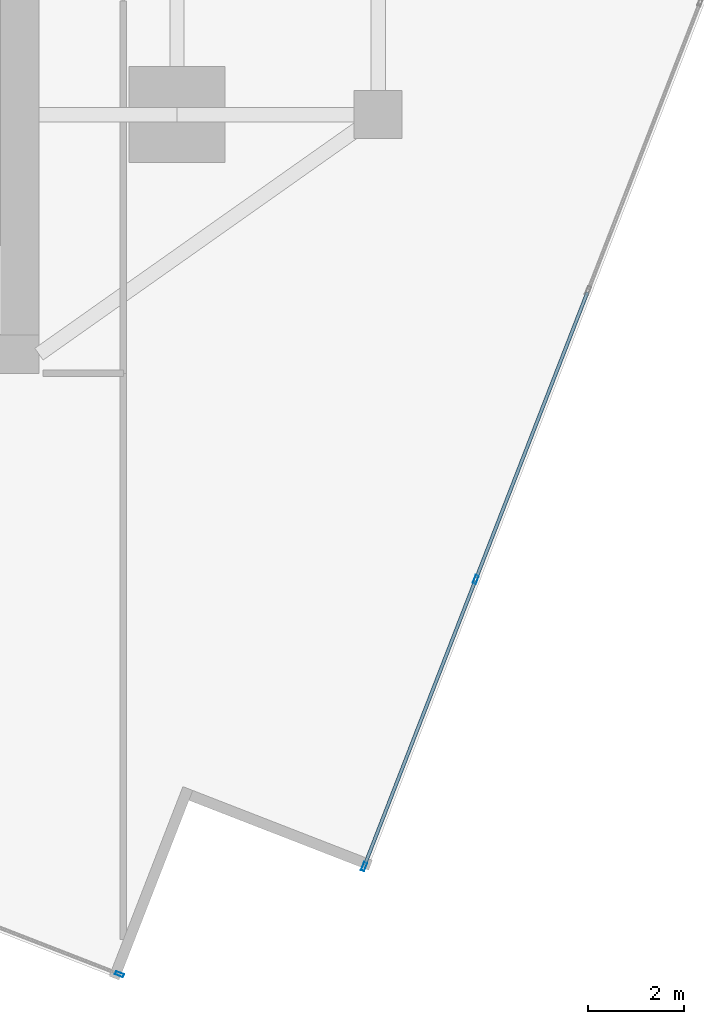
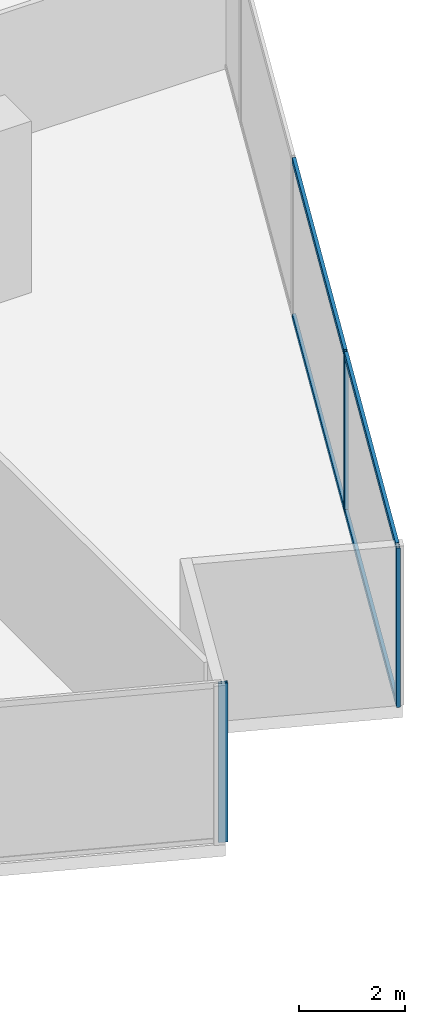
# One storey, part 9 of 26: 7 members, 2 elements without a shape of their own.
"""IFC4 building model written with IfcOpenShell, lengths in metres."""

from ifc_helpers import new_model, si_unit, direction, frame, origin, origin_2d, place, context, subcontext, project, spatial, hollow_rectangle, extrude, source, transform, mapped, material, material_profile, profile_set, type_object, type_shapes, element, aggregate, save


model = new_model("IFC4")

# Units and contexts
model_context = context("Model", 3, precision=1e-05, world=origin(), true_north=direction((0.0, 1.0)))
body_context = subcontext(model_context, "Body", "Model", "MODEL_VIEW")
ifc_project = project(units=[si_unit("LENGTHUNIT", "METRE"), si_unit("AREAUNIT", "SQUARE_METRE"), si_unit("VOLUMEUNIT", "CUBIC_METRE"), si_unit("PLANEANGLEUNIT", "RADIAN"), si_unit("MASSUNIT", "GRAM", prefix="KILO")], contexts=[model_context])

# Site, building, storey
site_placement = place(None, origin())
site = spatial("IfcSite", under=ifc_project, at=site_placement, CompositionType="ELEMENT")
building_placement = place(site_placement, origin())
building = spatial("IfcBuilding", under=site, at=building_placement, Name="Krantzveldt Concourse Tower", CompositionType="ELEMENT")
storey_placement = place(building_placement, frame((0.0, 0.0, 129.550048828125)))
storey = spatial("IfcBuildingStorey", under=building, at=storey_placement, Name="L31", CompositionType="ELEMENT", Elevation=129.550048828125)

# Curtain wall, member
ifc_material = material(Name="Anodised aluminium 6063-T6", Category="aluminium")
curtain_wall_type = type_object("IfcCurtainWallType", Name="CW2", PredefinedType="USERDEFINED", material=ifc_material)
curtain_wall_1_placement = place(storey_placement, origin())
curtain_wall_1 = element("IfcCurtainWall", 1, at=curtain_wall_1_placement, inside=storey, type_object=curtain_wall_type, Name="CW-L31-F08", ObjectType="UNITISED CURTAIN WALL", PredefinedType="USERDEFINED")
ifc_material_profile_1 = material_profile(ifc_material, hollow_rectangle(XDim=0.070068359375, YDim=0.179931640625, WallThickness=0.0048828125, at=origin_2d()), Name="Anodised aluminium 6063-T6", Category="aluminium")
ifc_profile_set_1 = profile_set([ifc_material_profile_1], Name="Anodised aluminium 6063-T6 - ALU-MULL 180x70x5")
member_type_1 = type_object("IfcMemberType", Name="CW-MUL-180", PredefinedType="MULLION", material=ifc_profile_set_1)
shared_shape_1 = source(origin(), body_context, "Body", "SweptSolid", [
    extrude(hollow_rectangle(XDim=0.070068359375, YDim=0.179931640625, WallThickness=0.0048828125, at=origin_2d()), origin(), (0.0, 0.0, 1.0), 3.669921875),
])
type_shapes(member_type_1, [shared_shape_1])
member_1_placement = place(storey_placement, frame((45.599853515625, -2.043701171875, 0.0), z_axis=(0.0, 0.0, 1.0), x_axis=(0.362437908899, 0.932007919598, 0.0)))
member_1 = element("IfcMember", 2, at=member_1_placement, type_object=member_type_1, Name="CW-Z12 mullion 3", PredefinedType="MULLION", context=body_context, shape_type="MappedRepresentation", body=[
    mapped(shared_shape_1, transform((0.0, 0.0, 0.0), x_axis=(1.0, 0.0, 0.0), y_axis=(0.0, 1.0, 0.0), z_axis=(0.0, 0.0, 1.0), scale=1.0)),
])
aggregate(curtain_wall_1, [member_1])

# Curtain wall, members
curtain_wall_2_placement = place(storey_placement, origin())
curtain_wall_2 = element("IfcCurtainWall", 3, at=curtain_wall_2_placement, inside=storey, type_object=curtain_wall_type, Name="CW-L31-F11", ObjectType="UNITISED CURTAIN WALL", PredefinedType="USERDEFINED")
member_2_placement = place(storey_placement, frame((50.70654296875, 0.203125, 0.0), z_axis=(0.0, 0.0, 1.0), x_axis=(-0.93200790248, 0.362437952917, 0.0)))
member_2 = element("IfcMember", 4, at=member_2_placement, type_object=member_type_1, Name="CW-Z12 mullion 1", PredefinedType="MULLION", context=body_context, shape_type="MappedRepresentation", body=[
    mapped(shared_shape_1, transform((0.0, 0.0, 0.0), x_axis=(1.0, 0.0, 0.0), y_axis=(0.0, 1.0, 0.0), z_axis=(0.0, 0.0, 1.0), scale=1.0)),
])
member_3_placement = place(storey_placement, frame((53.03759765625, 6.197509765625, 0.0), z_axis=(0.0, 0.0, 1.0), x_axis=(-0.93200790248, 0.362437952917, 0.0)))
member_3 = element("IfcMember", 5, at=member_3_placement, type_object=member_type_1, Name="CW-Z12 mullion 2", PredefinedType="MULLION", context=body_context, shape_type="MappedRepresentation", body=[
    mapped(shared_shape_1, transform((0.0, 0.0, 0.0), x_axis=(1.0, 0.0, 0.0), y_axis=(0.0, 1.0, 0.0), z_axis=(0.0, 0.0, 1.0), scale=1.0)),
])
ifc_material_profile_2 = material_profile(ifc_material, hollow_rectangle(XDim=0.070068359375, YDim=0.139892578125, WallThickness=0.0048828125, at=origin_2d()), Name="Anodised aluminium 6063-T6", Category="aluminium")
ifc_profile_set_2 = profile_set([ifc_material_profile_2], Name="Anodised aluminium 6063-T6 - ALU-TRAN 140x70x5")
member_type_2 = type_object("IfcMemberType", Name="CW-TRN-150", PredefinedType="USERDEFINED", material=ifc_profile_set_2)
shared_shape_2 = source(origin(), body_context, "Body", "SweptSolid", [
    extrude(hollow_rectangle(XDim=0.070068359375, YDim=0.139892578125, WallThickness=0.0048828125, at=origin_2d()), origin(), (0.0, 0.0, 1.0), 6.396484375),
])
member_4_placement = place(storey_placement, frame((53.05029296875, 6.230224609375, 0.034912109375), z_axis=(0.36243705186, 0.932008252882, 0.0), x_axis=(-0.932008252882, 0.36243705186, 0.0)))
member_4 = element("IfcMember", 6, at=member_4_placement, type_object=member_type_2, Name="CW-Z12 transom 2.1", ObjectType="TRANSOM", PredefinedType="USERDEFINED", context=body_context, shape_type="MappedRepresentation", body=[
    mapped(shared_shape_2, transform((0.0, 0.0, 0.0), x_axis=(1.0, 0.0, 0.0), y_axis=(0.0, 1.0, 0.0), z_axis=(0.0, 0.0, 1.0), scale=1.0)),
])
member_5_placement = place(storey_placement, frame((53.05029296875, 6.230224609375, 3.635009765625), z_axis=(0.36243705186, 0.932008252882, 0.0), x_axis=(-0.932008252882, 0.36243705186, 0.0)))
member_5 = element("IfcMember", 7, at=member_5_placement, type_object=member_type_2, Name="CW-Z12 transom 2.2", ObjectType="TRANSOM", PredefinedType="USERDEFINED", context=body_context, shape_type="MappedRepresentation", body=[
    mapped(shared_shape_2, transform((0.0, 0.0, 0.0), x_axis=(1.0, 0.0, 0.0), y_axis=(0.0, 1.0, 0.0), z_axis=(0.0, 0.0, 1.0), scale=1.0)),
])
shared_shape_3 = source(origin(), body_context, "Body", "SweptSolid", [
    extrude(hollow_rectangle(XDim=0.070068359375, YDim=0.139892578125, WallThickness=0.0048828125, at=origin_2d()), origin(), (0.0, 0.0, 1.0), 6.36181640625),
])
type_shapes(member_type_2, [shared_shape_2, shared_shape_3])
member_6_placement = place(storey_placement, frame((50.71923828125, 0.23583984375, 0.034912109375), z_axis=(0.362427741589, 0.932011873383, 0.0), x_axis=(-0.932011873383, 0.362427741589, 0.0)))
member_6 = element("IfcMember", 8, at=member_6_placement, type_object=member_type_2, Name="CW-Z12 transom 1.1", ObjectType="TRANSOM", PredefinedType="USERDEFINED", context=body_context, shape_type="MappedRepresentation", body=[
    mapped(shared_shape_3, transform((0.0, 0.0, 0.0), x_axis=(1.0, 0.0, 0.0), y_axis=(0.0, 1.0, 0.0), z_axis=(0.0, 0.0, 1.0), scale=1.0)),
])
member_7_placement = place(storey_placement, frame((50.71923828125, 0.23583984375, 3.635009765625), z_axis=(0.362427741589, 0.932011873383, 0.0), x_axis=(-0.932011873383, 0.362427741589, 0.0)))
member_7 = element("IfcMember", 9, at=member_7_placement, type_object=member_type_2, Name="CW-Z12 transom 1.2", ObjectType="TRANSOM", PredefinedType="USERDEFINED", context=body_context, shape_type="MappedRepresentation", body=[
    mapped(shared_shape_3, transform((0.0, 0.0, 0.0), x_axis=(1.0, 0.0, 0.0), y_axis=(0.0, 1.0, 0.0), z_axis=(0.0, 0.0, 1.0), scale=1.0)),
])
aggregate(curtain_wall_2, [member_2, member_3, member_6, member_7, member_4, member_5])

save(model, "model.ifc")
